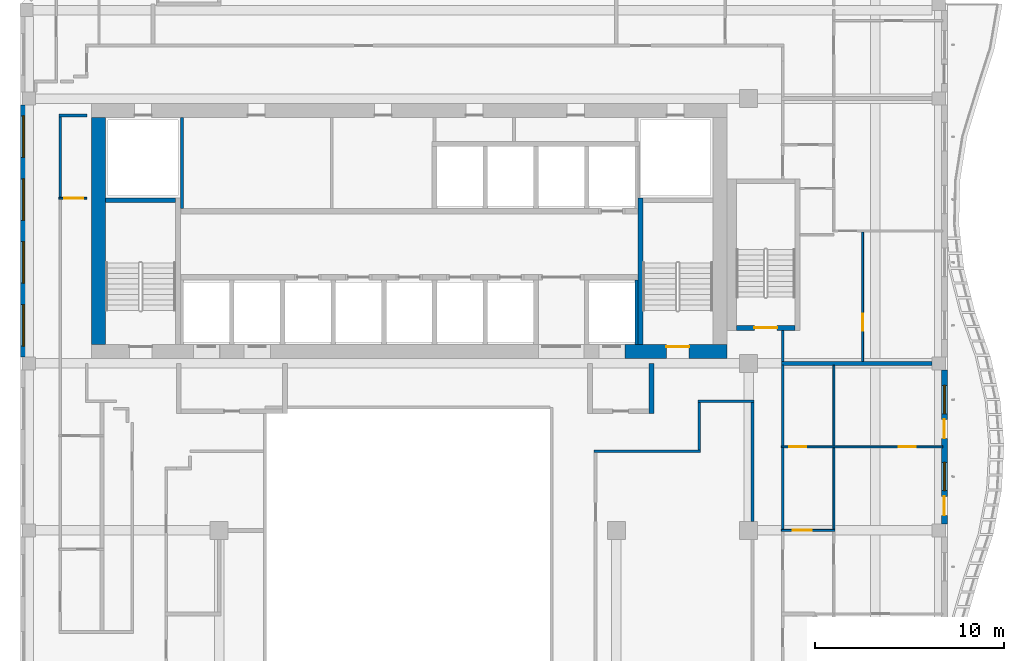
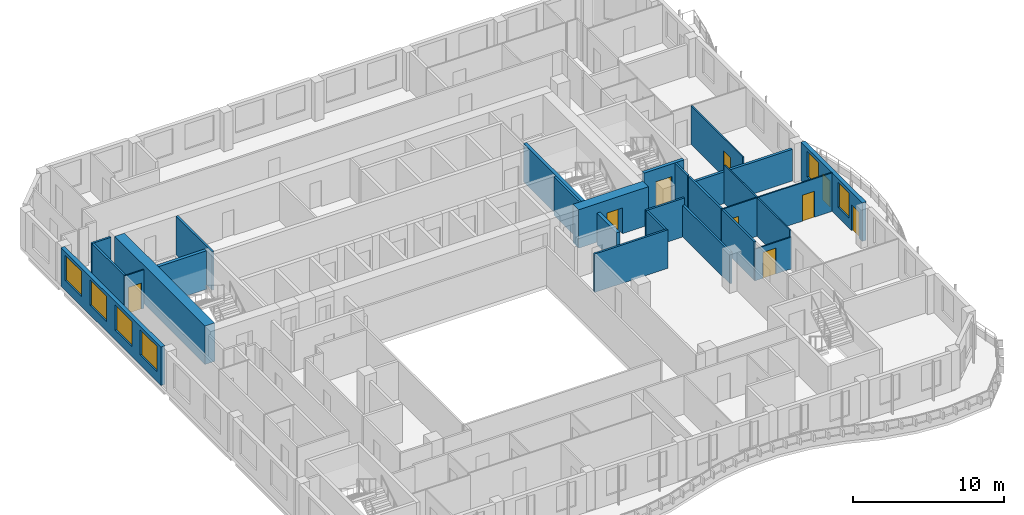
# One storey, part 6 of 20: 26 walls, 9 doors, 6 windows, 15 openings.
"""IFC4 building model written with IfcOpenShell, lengths in metres."""

import ifcopenshell
import ifcopenshell.guid

model = None  # the IFC model being written
_history = None  # IfcOwnerHistory: only IFC2X3 demands one
_inside = {}  # id of a spatial element -> (the spatial element, [elements in it])
_under = {}  # id of a project, library or spatial element -> (it, [spatial elements below it])
_declared = {}  # id of a project -> (the project, [libraries it declares])
_typed = {}  # id of a type object -> (the type object, [elements of that type])
_made_of = {}  # id of a material, layer set ... -> (it, [elements and type objects made of it])


def new_model(schema):
    """Start an empty IFC model of exactly this schema.

    Asked for "IFC4X3", IfcOpenShell would pick the latest addendum, in which some entities
    have other attributes; the version numbers below select the first issue.
    IFC2X3 requires an IfcOwnerHistory on every rooted entity: one is made here for all.
    """
    global model, _history
    if schema == "IFC4X3":
        model = ifcopenshell.file(schema_version=(4, 3, 0, 0))
    else:
        model = ifcopenshell.file(schema=schema)
    _inside.clear()
    _under.clear()
    _declared.clear()
    _typed.clear()
    _made_of.clear()
    _history = None
    if model.schema == "IFC2X3":
        org = make("IfcOrganization", Name="unknown")
        user = make(
            "IfcPersonAndOrganization",
            ThePerson=make("IfcPerson", FamilyName="unknown"),
            TheOrganization=org,
        )
        app = make(
            "IfcApplication",
            ApplicationDeveloper=org,
            Version="unknown",
            ApplicationFullName="unknown",
            ApplicationIdentifier="unknown",
        )
        _history = make(
            "IfcOwnerHistory",
            OwningUser=user,
            OwningApplication=app,
            ChangeAction="ADDED",
            CreationDate=0,
        )
    return model


def make(cls, **values):
    """One entity of the class cls with the attributes given. An attribute that is None is left unset."""
    return model.create_entity(
        cls, **{name: value for name, value in values.items() if value is not None}
    )


def rooted(cls, **values):
    """An entity with a GlobalId (a new one), such as an element, a storey or a relation."""
    return make(cls, GlobalId=ifcopenshell.guid.new(), OwnerHistory=_history, **values)


def si_unit(unit_type, name, prefix=None):
    """IfcSIUnit, for example si_unit("LENGTHUNIT", "METRE", prefix="MILLI")."""
    return make("IfcSIUnit", UnitType=unit_type, Prefix=prefix, Name=name)


def assignment(units):
    """IfcUnitAssignment: the units of a project."""
    return None if units is None else make("IfcUnitAssignment", Units=units)


def point(xyz):
    """IfcCartesianPoint."""
    return None if xyz is None else make("IfcCartesianPoint", Coordinates=xyz)


def direction(xyz):
    """IfcDirection."""
    return None if xyz is None else make("IfcDirection", DirectionRatios=xyz)


def frame(location, z_axis=None, x_axis=None):
    """IfcAxis2Placement3D, a coordinate frame: its origin and axes. An axis left out is left unset."""
    return make(
        "IfcAxis2Placement3D",
        Location=point(location),
        Axis=direction(z_axis),
        RefDirection=direction(x_axis),
    )


def frame_2d(location, x_axis=None):
    """IfcAxis2Placement2D, a coordinate frame in the plane: its origin and x axis."""
    return make(
        "IfcAxis2Placement2D", Location=point(location), RefDirection=direction(x_axis)
    )


def origin():
    """The frame at (0, 0, 0) with its axes left unset."""
    return frame((0.0, 0.0, 0.0))


def place(relative_to, where):
    """IfcLocalPlacement: puts the frame where relative to a parent placement (None: the world)."""
    return make(
        "IfcLocalPlacement", PlacementRelTo=relative_to, RelativePlacement=where
    )


def context(
    kind, dimensions, precision=None, world=None, true_north=None, identifier=None
):
    """IfcGeometricRepresentationContext, for example the 3D "Model" context."""
    return make(
        "IfcGeometricRepresentationContext",
        ContextIdentifier=identifier,
        ContextType=kind,
        CoordinateSpaceDimension=dimensions,
        Precision=precision,
        WorldCoordinateSystem=world,
        TrueNorth=true_north,
    )


def subcontext(parent, identifier, kind, view, scale=None):
    """IfcGeometricRepresentationSubContext, for example "Body" below "Model"."""
    return make(
        "IfcGeometricRepresentationSubContext",
        ContextIdentifier=identifier,
        ContextType=kind,
        ParentContext=parent,
        TargetScale=scale,
        TargetView=view,
    )


def project(units=None, contexts=None):
    """IfcProject with its units and contexts."""
    return rooted(
        "IfcProject",
        Name="project",
        RepresentationContexts=contexts,
        UnitsInContext=assignment(units),
    )


def spatial(cls, under=None, at=None, **own):
    """A site, building, storey or space (cls), placed at a placement, below another one or the project."""
    s = rooted(cls, ObjectPlacement=at, **own)
    if under is not None:
        _under.setdefault(under.id(), (under, []))[1].append(s)
    return s


def profile(cls, at=None, kind="AREA", **sizes):
    """A parametric profile (cls). Its sizes go by their IFC names, for example OverallWidth=200.0."""
    return make(cls, ProfileType=kind, Position=at, **sizes)


def rectangle(**sizes):
    """IfcRectangleProfileDef."""
    return profile("IfcRectangleProfileDef", **sizes)


def extrude(swept, where, along, depth):
    """IfcExtrudedAreaSolid: the profile swept, set in the frame where, extruded along a direction by depth."""
    return make(
        "IfcExtrudedAreaSolid",
        SweptArea=swept,
        Position=where,
        ExtrudedDirection=direction(along),
        Depth=depth,
    )


def shape(context_of_items, identifier, shape_type, items):
    """IfcShapeRepresentation: the items that make up one representation, for example the "Body"."""
    return make(
        "IfcShapeRepresentation",
        ContextOfItems=context_of_items,
        RepresentationIdentifier=identifier,
        RepresentationType=shape_type,
        Items=items,
    )


def source(mapping_origin, context_of_items, identifier, shape_type, items):
    """IfcRepresentationMap: a shape defined once, which mapped items show again and again."""
    return make(
        "IfcRepresentationMap",
        MappingOrigin=mapping_origin,
        MappedRepresentation=shape(context_of_items, identifier, shape_type, items),
    )


def transform(
    local_origin,
    x_axis=None,
    y_axis=None,
    z_axis=None,
    scale=None,
    scale2=None,
    scale3=None,
    uniform=True,
):
    """IfcCartesianTransformationOperator3D, or its non-uniform kind. x_axis, y_axis, z_axis: its Axis1, 2, 3."""
    if uniform:
        return make(
            "IfcCartesianTransformationOperator3D",
            Axis1=direction(x_axis),
            Axis2=direction(y_axis),
            LocalOrigin=point(local_origin),
            Scale=scale,
            Axis3=direction(z_axis),
        )
    return make(
        "IfcCartesianTransformationOperator3DnonUniform",
        Axis1=direction(x_axis),
        Axis2=direction(y_axis),
        LocalOrigin=point(local_origin),
        Scale=scale,
        Axis3=direction(z_axis),
        Scale2=scale2,
        Scale3=scale3,
    )


def mapped(mapping_source, mapping_target):
    """IfcMappedItem: shows the shape of a source again, moved by a transform."""
    return make(
        "IfcMappedItem", MappingSource=mapping_source, MappingTarget=mapping_target
    )


def material(Name=None, Category=None):
    """IfcMaterial."""
    return make("IfcMaterial", Name=Name, Category=Category)


def layer(
    of_material, thickness, ventilated=None, Name=None, Category=None, Priority=None
):
    """IfcMaterialLayer: one layer of a wall or slab, of a material (None: an air gap)."""
    return make(
        "IfcMaterialLayer",
        Material=of_material,
        LayerThickness=thickness,
        IsVentilated=ventilated,
        Name=Name,
        Category=Category,
        Priority=Priority,
    )


def layer_set(layers, Name=None):
    """IfcMaterialLayerSet."""
    return make("IfcMaterialLayerSet", MaterialLayers=layers, LayerSetName=Name)


def made_of(thing, what):
    """Note that an element or type object is made of a material, layer set ...; save() writes the relation."""
    if what is not None:
        _made_of.setdefault(what.id(), (what, []))[1].append(thing)
    return thing


def type_object(cls, material=None, **own):
    """A type object (cls), such as IfcWallType, which elements share."""
    return made_of(rooted(cls, **own), material)


def element(
    cls,
    number,
    at=None,
    inside=None,
    cuts=None,
    type_object=None,
    material=None,
    context=None,
    identifier="Body",
    shape_type=None,
    held_by="IfcProductDefinitionShape",
    body=None,
    shapes=None,
    **own,
):
    """One element of the class cls, such as IfcWall. Its Tag is "e" and its number.

    at: its placement. inside: the storey or other place that contains it. cuts: it is an
    opening in that element (IfcRelVoidsElement). A single representation is given by context,
    identifier, shape_type and body (its items); several are given by shapes. held_by: the class
    of the entity that holds the representations. save() writes the other relations.
    """
    e = rooted(cls, Tag="e%d" % number, ObjectPlacement=at, **own)
    if body is not None:
        shapes = [shape(context, identifier, shape_type, body)]
    if shapes is not None:
        e.Representation = make(held_by, Representations=shapes)
    if inside is not None:
        _inside.setdefault(inside.id(), (inside, []))[1].append(e)
    if cuts is not None:
        rooted(
            "IfcRelVoidsElement", RelatingBuildingElement=cuts, RelatedOpeningElement=e
        )
    if type_object is not None:
        _typed.setdefault(type_object.id(), (type_object, []))[1].append(e)
    return made_of(e, material)


def fill(opening, filler):
    """IfcRelFillsElement: the door or window that sits in an opening."""
    return rooted(
        "IfcRelFillsElement",
        RelatingOpeningElement=opening,
        RelatedBuildingElement=filler,
    )


def aggregate(whole, parts):
    """IfcRelAggregates: a whole, such as a stair, and the parts it consists of."""
    return rooted("IfcRelAggregates", RelatingObject=whole, RelatedObjects=parts)


def save(model, path):
    """Write the relations noted so far, then the file.

    IfcRelAggregates (storeys below a building ...), IfcRelContainedInSpatialStructure (elements
    in a storey), IfcRelDefinesByType, IfcRelAssociatesMaterial and IfcRelDeclares: one each for
    every whole, place, type object, material and project.
    """
    for whole, parts in _under.values():
        aggregate(whole, parts)
    for where, things in _inside.values():
        rooted(
            "IfcRelContainedInSpatialStructure",
            RelatedElements=things,
            RelatingStructure=where,
        )
    for kind, things in _typed.values():
        rooted("IfcRelDefinesByType", RelatedObjects=things, RelatingType=kind)
    for what, things in _made_of.values():
        rooted("IfcRelAssociatesMaterial", RelatedObjects=things, RelatingMaterial=what)
    for by, libraries in _declared.values():
        rooted("IfcRelDeclares", RelatingContext=by, RelatedDefinitions=libraries)
    model.write(path)


model = new_model("IFC4")

# Units and contexts
model_context = context("Model", 3, precision=1e-05, world=origin(), true_north=direction((0.0, 1.0)))
body_context = subcontext(model_context, "Body", "Model", "MODEL_VIEW")
ifc_project = project(units=[si_unit("LENGTHUNIT", "METRE"), si_unit("AREAUNIT", "SQUARE_METRE"), si_unit("VOLUMEUNIT", "CUBIC_METRE"), si_unit("PLANEANGLEUNIT", "RADIAN"), si_unit("MASSUNIT", "GRAM", prefix="KILO")], contexts=[model_context])

# Site, building, storey
site_placement = place(None, origin())
site = spatial("IfcSite", under=ifc_project, at=site_placement, CompositionType="ELEMENT")
building_placement = place(site_placement, origin())
building = spatial("IfcBuilding", under=site, at=building_placement, Name="Kilnfold Tower and Market Hall", CompositionType="ELEMENT")
storey_placement = place(building_placement, frame((0.0, 0.0, 239.0)))
storey = spatial("IfcBuildingStorey", under=building, at=storey_placement, Name="L57", CompositionType="ELEMENT", Elevation=239.0)

# Walls
ifc_material_1 = material(Name="Gypsum board on steel studs", Category="steel")
ifc_layer_1 = layer(ifc_material_1, 0.14990234375)
ifc_layer_set_1 = layer_set([ifc_layer_1], Name="Gypsum board on steel studs")
wall_type_1 = type_object("IfcWallType", Name="WALL CORRIDOR 150", PredefinedType="PARTITIONING", material=ifc_layer_set_1)
wall_1_placement = place(storey_placement, frame((-17.47509765625, 21.10009765625, 0.0), z_axis=(0.0, 0.0, 1.0), x_axis=(1.0, 0.0, 0.0)))
element("IfcWall", 1, at=wall_1_placement, inside=storey, type_object=wall_type_1, Name="Partition LY35.7", PredefinedType="PARTITIONING", context=body_context, shape_type="SweptSolid", body=[
    extrude(rectangle(XDim=1.47509765625, YDim=0.14990234375, at=frame_2d((0.737548828125, 0.0))), origin(), (0.0, 0.0, 1.0), 3.1201171875),
])
wall_2_placement = place(storey_placement, frame((-17.39990234375, 16.77099609375, 0.0), z_axis=(0.0, 0.0, 1.0), x_axis=(0.0, 1.0, 0.0)))
element("IfcWall", 2, at=wall_2_placement, inside=storey, type_object=wall_type_1, Name="Partition LY35.8", PredefinedType="PARTITIONING", context=body_context, shape_type="SweptSolid", body=[
    extrude(rectangle(XDim=4.25390625, YDim=0.14990234375, at=frame_2d((2.126953125, 0.0))), origin(), (0.0, 0.0, 1.0), 3.1201171875),
])
wall_3_placement = place(storey_placement, frame((20.800048828125, -0.79296875, 0.0), z_axis=(0.0, 0.0, 1.0), x_axis=(0.0, 1.0, 0.0)))
element("IfcWall", 3, at=wall_3_placement, inside=storey, type_object=wall_type_1, Name="Partition LY35.14", PredefinedType="PARTITIONING", context=body_context, shape_type="SweptSolid", body=[
    extrude(rectangle(XDim=4.3359375, YDim=0.14990234375, at=frame_2d((2.16796875, 0.0))), origin(), (0.0, 0.0, 1.0), 3.1201171875),
])
wall_4_placement = place(storey_placement, frame((20.800048828125, 3.623046875, 0.0), z_axis=(0.0, 0.0, 1.0), x_axis=(0.0, 1.0, 0.0)))
element("IfcWall", 4, at=wall_4_placement, inside=storey, type_object=wall_type_1, Name="Partition LY35.15", PredefinedType="PARTITIONING", context=body_context, shape_type="SweptSolid", body=[
    extrude(rectangle(XDim=4.286865234375, YDim=0.14990234375, at=frame_2d((2.1435546875, 0.0))), origin(), (0.0, 0.0, 1.0), 3.1201171875),
])
wall_5_placement = place(storey_placement, frame((20.800048828125, 8.090087890625, 0.0), z_axis=(0.0, 0.0, 1.0), x_axis=(0.0, 1.0, 0.0)))
element("IfcWall", 5, at=wall_5_placement, inside=storey, type_object=wall_type_1, Name="Partition LY35.16", PredefinedType="PARTITIONING", context=body_context, shape_type="SweptSolid", body=[
    extrude(rectangle(XDim=1.659912109375, YDim=0.14990234375, at=frame_2d((0.830078125, 0.0))), origin(), (0.0, 0.0, 1.0), 3.1201171875),
])
wall_6_placement = place(storey_placement, frame((19.199951171875, -0.35791015625, 0.0), z_axis=(0.0, 0.0, 1.0), x_axis=(0.0, 1.0, 0.0)))
element("IfcWall", 6, at=wall_6_placement, inside=storey, type_object=wall_type_1, Name="Partition LY35.41", PredefinedType="PARTITIONING", context=body_context, shape_type="SweptSolid", body=[
    extrude(rectangle(XDim=6.282958984375, YDim=0.14990234375, at=frame_2d((3.1416015625, 0.0))), origin(), (0.0, 0.0, 1.0), 2.570068359375),
])
wall_7_placement = place(storey_placement, frame((16.304931640625, 6.0, 0.0), z_axis=(0.0, 0.0, 1.0), x_axis=(1.0, 0.0, 0.0)))
element("IfcWall", 7, at=wall_7_placement, inside=storey, type_object=wall_type_1, Name="Partition LY35.42", PredefinedType="PARTITIONING", context=body_context, shape_type="SweptSolid", body=[
    extrude(rectangle(XDim=2.969970703125, YDim=0.14990234375, at=frame_2d((1.48486328125, 0.0))), origin(), (0.0, 0.0, 1.0), 3.1201171875),
])
wall_8_placement = place(storey_placement, frame((16.3798828125, 3.425048828125, 0.0), z_axis=(0.0, 0.0, 1.0), x_axis=(0.0, 1.0, 0.0)))
element("IfcWall", 8, at=wall_8_placement, inside=storey, type_object=wall_type_1, Name="Partition LY35.43", PredefinedType="PARTITIONING", context=body_context, shape_type="SweptSolid", body=[
    extrude(rectangle(XDim=2.5, YDim=0.14990234375, at=frame_2d((1.25, 0.0))), origin(), (0.0, 0.0, 1.0), 3.1201171875),
])
wall_9_placement = place(storey_placement, frame((10.824951171875, 3.35009765625, 0.0), z_axis=(0.0, 0.0, 1.0), x_axis=(1.0, 0.0, 0.0)))
element("IfcWall", 9, at=wall_9_placement, inside=storey, type_object=wall_type_1, Name="Partition LY35.44", PredefinedType="PARTITIONING", context=body_context, shape_type="SweptSolid", body=[
    extrude(rectangle(XDim=5.630126953125, YDim=0.14990234375, at=frame_2d((2.81494140625, 0.0))), origin(), (0.0, 0.0, 1.0), 3.1201171875),
])

# Wall, opening, door
ifc_material_2 = material(Name="Gypsum board on steel studs", Category="steel")
ifc_layer_2 = layer(ifc_material_2, 0.10009765625)
ifc_layer_set_2 = layer_set([ifc_layer_2], Name="Gypsum board on steel studs")
wall_type_2 = type_object("IfcWallType", Name="WALL PARTITION 100", PredefinedType="PARTITIONING", material=ifc_layer_set_2)
wall_10_placement = place(storey_placement, frame((-16.0, 16.73095703125, 0.0), z_axis=(0.0, 0.0, 1.0), x_axis=(-1.0, 0.0, 0.0)))
wall_10 = element("IfcWall", 10, at=wall_10_placement, inside=storey, type_object=wall_type_2, Name="Partition LY35.52", PredefinedType="PARTITIONING", context=body_context, shape_type="SweptSolid", body=[
    extrude(rectangle(XDim=1.472900390625, YDim=0.10009765625, at=frame_2d((0.736328125, 0.0))), origin(), (0.0, 0.0, 1.0), 3.1201171875),
])
opening_1_placement = place(wall_10_placement, frame((0.199951171875, 0.0, 0.0)))
opening_1 = element("IfcOpeningElement", 11, at=opening_1_placement, cuts=wall_10, Name="Opening D1", PredefinedType="OPENING", context=body_context, shape_type="SweptSolid", body=[
    extrude(rectangle(XDim=1.0, YDim=2.10009765625, at=frame_2d((0.5, 1.050048828125))), frame((0.0, 0.06005859375, 0.0), z_axis=(0.0, -1.0, 0.0), x_axis=(1.0, 0.0, 0.0)), (0.0, 0.0, 1.0), 0.1201171875),
])
ifc_material_3 = material(Name="Timber veneer door leaf in steel frame", Category="steel")
door_type_1 = type_object("IfcDoorType", Name="DOOR ENTRY 1000 X2100", OperationType="NOTDEFINED", PredefinedType="DOOR", material=ifc_material_3)
door_1_placement = place(opening_1_placement, origin())
door_1 = element("IfcDoor", 12, at=door_1_placement, inside=storey, type_object=door_type_1, Name="Door D1", OperationType="SINGLE_SWING_LEFT", OverallHeight=2.10009765625, OverallWidth=1.0, PredefinedType="DOOR", context=body_context, shape_type="SweptSolid", body=[
    extrude(rectangle(XDim=1.0, YDim=2.10009765625, at=frame_2d((0.5, 1.050048828125))), frame((0.0, 0.02490234375, 0.0), z_axis=(0.0, -1.0, 0.0), x_axis=(1.0, 0.0, 0.0)), (0.0, 0.0, 1.0), 0.050048828125),
])
fill(opening_1, door_1)

wall_11_placement = place(storey_placement, frame((23.550048828125, -0.8330078125, 0.0), z_axis=(0.0, 0.0, 1.0), x_axis=(-1.0, 0.0, 0.0)))
wall_11 = element("IfcWall", 13, at=wall_11_placement, inside=storey, type_object=wall_type_2, Name="Partition LY35.74", PredefinedType="PARTITIONING", context=body_context, shape_type="SweptSolid", body=[
    extrude(rectangle(XDim=2.822998046875, YDim=0.10009765625, at=frame_2d((1.41162109375, 0.0))), origin(), (0.0, 0.0, 1.0), 2.570068359375),
])
opening_2_placement = place(wall_11_placement, frame((1.216064453125, 0.0, 0.0)))
opening_2 = element("IfcOpeningElement", 14, at=opening_2_placement, cuts=wall_11, Name="Opening D1", PredefinedType="OPENING", context=body_context, shape_type="SweptSolid", body=[
    extrude(rectangle(XDim=1.0, YDim=2.10009765625, at=frame_2d((0.5, 1.050048828125))), frame((0.0, 0.06005859375, 0.0), z_axis=(0.0, -1.0, 0.0), x_axis=(1.0, 0.0, 0.0)), (0.0, 0.0, 1.0), 0.1201171875),
])
door_2_placement = place(opening_2_placement, origin())
door_2 = element("IfcDoor", 15, at=door_2_placement, inside=storey, type_object=door_type_1, Name="Door D1", OperationType="SINGLE_SWING_LEFT", OverallHeight=2.10009765625, OverallWidth=1.0, PredefinedType="DOOR", context=body_context, shape_type="SweptSolid", body=[
    extrude(rectangle(XDim=1.0, YDim=2.10009765625, at=frame_2d((0.5, 1.050048828125))), frame((0.0, 0.02490234375, 0.0), z_axis=(0.0, -1.0, 0.0), x_axis=(1.0, 0.0, 0.0)), (0.0, 0.0, 1.0), 0.050048828125),
])
fill(opening_2, door_2)

# Wall, openings, doors
wall_12_placement = place(storey_placement, frame((20.72705078125, 3.5830078125, 0.0), z_axis=(0.0, 0.0, 1.0), x_axis=(1.0, 0.0, 0.0)))
wall_12 = element("IfcWall", 16, at=wall_12_placement, inside=storey, type_object=wall_type_2, Name="Partition LY35.76", PredefinedType="PARTITIONING", context=body_context, shape_type="SweptSolid", body=[
    extrude(rectangle(XDim=8.52294921875, YDim=0.10009765625, at=frame_2d((4.261474609375, 0.0))), origin(), (0.0, 0.0, 1.0), 3.1201171875),
])
opening_3_placement = place(wall_12_placement, frame((0.409912109375, 0.0, 0.0)))
opening_3 = element("IfcOpeningElement", 17, at=opening_3_placement, cuts=wall_12, Name="Opening D2", PredefinedType="OPENING", context=body_context, shape_type="SweptSolid", body=[
    extrude(rectangle(XDim=0.89990234375, YDim=2.10009765625, at=frame_2d((0.449951171875, 1.050048828125))), frame((0.0, 0.06005859375, 0.0), z_axis=(0.0, -1.0, 0.0), x_axis=(1.0, 0.0, 0.0)), (0.0, 0.0, 1.0), 0.1201171875),
])
opening_4_placement = place(wall_12_placement, frame((6.2099609375, 0.0, 0.0)))
opening_4 = element("IfcOpeningElement", 18, at=opening_4_placement, cuts=wall_12, Name="Opening D2", PredefinedType="OPENING", context=body_context, shape_type="SweptSolid", body=[
    extrude(rectangle(XDim=0.89990234375, YDim=2.10009765625, at=frame_2d((0.449951171875, 1.050048828125))), frame((0.0, 0.06005859375, 0.0), z_axis=(0.0, -1.0, 0.0), x_axis=(1.0, 0.0, 0.0)), (0.0, 0.0, 1.0), 0.1201171875),
])
ifc_material_4 = material(Name="Timber veneer door leaf in steel frame", Category="steel")
door_type_2 = type_object("IfcDoorType", Name="DOOR ROOM 900 X2100", OperationType="NOTDEFINED", PredefinedType="DOOR", material=ifc_material_4)
door_3_placement = place(opening_3_placement, origin())
door_3 = element("IfcDoor", 19, at=door_3_placement, inside=storey, type_object=door_type_2, Name="Door D2", OperationType="SINGLE_SWING_LEFT", OverallHeight=2.10009765625, OverallWidth=0.89990234375, PredefinedType="DOOR", context=body_context, shape_type="SweptSolid", body=[
    extrude(rectangle(XDim=0.89990234375, YDim=2.10009765625, at=frame_2d((0.449951171875, 1.050048828125))), frame((0.0, 0.02490234375, 0.0), z_axis=(0.0, -1.0, 0.0), x_axis=(1.0, 0.0, 0.0)), (0.0, 0.0, 1.0), 0.050048828125),
])
fill(opening_3, door_3)
door_4_placement = place(opening_4_placement, origin())
door_4 = element("IfcDoor", 20, at=door_4_placement, inside=storey, type_object=door_type_2, Name="Door D2", OperationType="SINGLE_SWING_LEFT", OverallHeight=2.10009765625, OverallWidth=0.89990234375, PredefinedType="DOOR", context=body_context, shape_type="SweptSolid", body=[
    extrude(rectangle(XDim=0.89990234375, YDim=2.10009765625, at=frame_2d((0.449951171875, 1.050048828125))), frame((0.0, 0.02490234375, 0.0), z_axis=(0.0, -1.0, 0.0), x_axis=(1.0, 0.0, 0.0)), (0.0, 0.0, 1.0), 0.050048828125),
])
fill(opening_4, door_4)

# Walls
wall_13_placement = place(storey_placement, frame((23.5, -0.782958984375, 0.0), z_axis=(0.0, 0.0, 1.0), x_axis=(0.0, 1.0, 0.0)))
element("IfcWall", 21, at=wall_13_placement, inside=storey, type_object=wall_type_2, Name="Partition LY35.77", PredefinedType="PARTITIONING", context=body_context, shape_type="SweptSolid", body=[
    extrude(rectangle(XDim=4.31591796875, YDim=0.10009765625, at=frame_2d((2.157958984375, 0.0))), origin(), (0.0, 0.0, 1.0), 3.1201171875),
])
wall_14_placement = place(storey_placement, frame((23.5, 3.633056640625, 0.0), z_axis=(0.0, 0.0, 1.0), x_axis=(0.0, 1.0, 0.0)))
element("IfcWall", 22, at=wall_14_placement, inside=storey, type_object=wall_type_2, Name="Partition LY35.78", PredefinedType="PARTITIONING", context=body_context, shape_type="SweptSolid", body=[
    extrude(rectangle(XDim=4.266845703125, YDim=0.10009765625, at=frame_2d((2.13330078125, 0.0))), origin(), (0.0, 0.0, 1.0), 3.1201171875),
])

# Wall, opening, door
wall_15_placement = place(storey_placement, frame((25.02587890625, 8.10009765625, 0.0), z_axis=(0.0, 0.0, 1.0), x_axis=(0.0, 1.0, 0.0)))
wall_15 = element("IfcWall", 23, at=wall_15_placement, inside=storey, type_object=wall_type_2, Name="Partition LY35.80", PredefinedType="PARTITIONING", context=body_context, shape_type="SweptSolid", body=[
    extrude(rectangle(XDim=6.849853515625, YDim=0.10009765625, at=frame_2d((3.4248046875, 0.0))), origin(), (0.0, 0.0, 1.0), 3.1201171875),
])
opening_5_placement = place(wall_15_placement, frame((1.613037109375, 0.0, 0.0)))
opening_5 = element("IfcOpeningElement", 24, at=opening_5_placement, cuts=wall_15, Name="Opening D2", PredefinedType="OPENING", context=body_context, shape_type="SweptSolid", body=[
    extrude(rectangle(XDim=0.89990234375, YDim=2.10009765625, at=frame_2d((0.449951171875, 1.050048828125))), frame((0.0, 0.06005859375, 0.0), z_axis=(0.0, -1.0, 0.0), x_axis=(1.0, 0.0, 0.0)), (0.0, 0.0, 1.0), 0.1201171875),
])
door_5_placement = place(opening_5_placement, origin())
door_5 = element("IfcDoor", 25, at=door_5_placement, inside=storey, type_object=door_type_2, Name="Door D2", OperationType="SINGLE_SWING_LEFT", OverallHeight=2.10009765625, OverallWidth=0.89990234375, PredefinedType="DOOR", context=body_context, shape_type="SweptSolid", body=[
    extrude(rectangle(XDim=0.89990234375, YDim=2.10009765625, at=frame_2d((0.449951171875, 1.050048828125))), frame((0.0, 0.02490234375, 0.0), z_axis=(0.0, -1.0, 0.0), x_axis=(1.0, 0.0, 0.0)), (0.0, 0.0, 1.0), 0.050048828125),
])
fill(opening_5, door_5)

# Walls
ifc_material_5 = material(Name="Gypsum board on steel studs", Category="steel")
ifc_layer_3 = layer(ifc_material_5, 0.199951171875)
ifc_layer_set_3 = layer_set([ifc_layer_3], Name="Gypsum board on steel studs")
wall_type_3 = type_object("IfcWallType", Name="WALL PARTY 200", PredefinedType="PARTITIONING", material=ifc_layer_set_3)
wall_16_placement = place(storey_placement, frame((20.72705078125, 8.0, 0.0), z_axis=(0.0, 0.0, 1.0), x_axis=(1.0, 0.0, 0.0)))
element("IfcWall", 26, at=wall_16_placement, inside=storey, type_object=wall_type_3, Name="Partition LY35.79", PredefinedType="PARTITIONING", context=body_context, shape_type="SweptSolid", body=[
    extrude(rectangle(XDim=7.972900390625, YDim=0.199951171875, at=frame_2d((3.986328125, 0.0))), origin(), (0.0, 0.0, 1.0), 2.570068359375),
])
ifc_material_6 = material(Name="Concrete C60", Category="concrete")
ifc_layer_4 = layer(ifc_material_6, 0.25)
ifc_layer_set_4 = layer_set([ifc_layer_4], Name="Concrete C60")
wall_type_4 = type_object("IfcWallType", Name="CORE WALL 250 C60", PredefinedType="SHEAR", material=ifc_layer_set_4)
shared_shape_1 = source(origin(), body_context, "Body", "SweptSolid", [
    extrude(rectangle(XDim=7.75, YDim=0.25, at=frame_2d((3.875, 0.0))), origin(), (0.0, 0.0, 1.0), 3.1201171875),
])
wall_17_placement = place(storey_placement, frame((13.27490234375, 9.0, 0.0), z_axis=(0.0, 0.0, 1.0), x_axis=(0.0, 1.0, 0.0)))
element("IfcWall", 27, at=wall_17_placement, inside=storey, type_object=wall_type_4, Name="Stair enclosure ST2", PredefinedType="SHEAR", context=body_context, shape_type="MappedRepresentation", body=[
    mapped(shared_shape_1, transform((0.0, 0.0, 0.0))),
])
shared_shape_2 = source(origin(), body_context, "Body", "SweptSolid", [
    extrude(rectangle(XDim=3.699951171875, YDim=0.25, at=frame_2d((1.85009765625, 0.0))), origin(), (0.0, 0.0, 1.0), 3.1201171875),
])
wall_18_placement = place(storey_placement, frame((-15.0, 16.625, 0.0), z_axis=(0.0, 0.0, 1.0), x_axis=(1.0, 0.0, 0.0)))
element("IfcWall", 28, at=wall_18_placement, inside=storey, type_object=wall_type_4, Name="Stair enclosure ST1", PredefinedType="SHEAR", context=body_context, shape_type="MappedRepresentation", body=[
    mapped(shared_shape_2, transform((0.0, 0.0, 0.0))),
])

# Wall, opening, door
shared_shape_3 = source(origin(), body_context, "Body", "SweptSolid", [
    extrude(rectangle(XDim=3.099853515625, YDim=0.25, at=frame_2d((1.5498046875, 0.0))), origin(), (0.0, 0.0, 1.0), 3.1201171875),
])
wall_19_placement = place(storey_placement, frame((18.35009765625, 9.875, 0.0), z_axis=(0.0, 0.0, 1.0), x_axis=(1.0, 0.0, 0.0)))
wall_19 = element("IfcWall", 29, at=wall_19_placement, inside=storey, type_object=wall_type_4, Name="Stair enclosure ST5", PredefinedType="SHEAR", context=body_context, shape_type="MappedRepresentation", body=[
    mapped(shared_shape_3, transform((0.0, 0.0, 0.0))),
])
opening_6_placement = place(wall_19_placement, frame((0.949951171875, 0.0, 0.0)))
opening_6 = element("IfcOpeningElement", 30, at=opening_6_placement, cuts=wall_19, Name="Opening SD1", PredefinedType="OPENING", context=body_context, shape_type="SweptSolid", body=[
    extrude(rectangle(XDim=1.199951171875, YDim=2.10009765625, at=frame_2d((0.60009765625, 1.050048828125))), frame((0.0, 0.135009765625, 0.0), z_axis=(0.0, -1.0, 0.0), x_axis=(1.0, 0.0, 0.0)), (0.0, 0.0, 1.0), 0.27001953125),
])
ifc_material_7 = material(Name="Steel door set with fire-resisting leaf", Category="steel")
door_type_3 = type_object("IfcDoorType", Name="STAIR FLOOR DOOR 1200X2100", OperationType="NOTDEFINED", PredefinedType="DOOR", material=ifc_material_7)
door_6_placement = place(opening_6_placement, origin())
door_6 = element("IfcDoor", 31, at=door_6_placement, inside=storey, type_object=door_type_3, Name="Exit stair ST5 door", OperationType="DOUBLE_DOOR_SINGLE_SWING", OverallHeight=2.10009765625, OverallWidth=1.199951171875, PredefinedType="DOOR", context=body_context, shape_type="SweptSolid", body=[
    extrude(rectangle(XDim=1.199951171875, YDim=2.10009765625, at=frame_2d((0.60009765625, 1.050048828125))), frame((0.0, 0.02490234375, 0.0), z_axis=(0.0, -1.0, 0.0), x_axis=(1.0, 0.0, 0.0)), (0.0, 0.0, 1.0), 0.050048828125),
])
fill(opening_6, door_6)

ifc_material_8 = material(Name="Concrete C60", Category="concrete")
ifc_layer_5 = layer(ifc_material_8, 0.75)
ifc_layer_set_5 = layer_set([ifc_layer_5], Name="Concrete C60")
wall_type_5 = type_object("IfcWallType", Name="CORE WALL 750 C60", PredefinedType="SHEAR", material=ifc_layer_set_5)
shared_shape_4 = source(origin(), body_context, "Body", "SweptSolid", [
    extrude(rectangle(XDim=5.380126953125, YDim=0.75, at=frame_2d((2.68994140625, 0.0))), origin(), (0.0, 0.0, 1.0), 3.1201171875),
])
wall_20_placement = place(storey_placement, frame((12.469970703125, 8.625, 0.0), z_axis=(0.0, 0.0, 1.0), x_axis=(1.0, 0.0, 0.0)))
wall_20 = element("IfcWall", 32, at=wall_20_placement, inside=storey, type_object=wall_type_5, Name="Core outer wall south", PredefinedType="SHEAR", context=body_context, shape_type="MappedRepresentation", body=[
    mapped(shared_shape_4, transform((0.0, 0.0, 0.0))),
])
opening_7_placement = place(wall_20_placement, frame((2.179931640625, 0.0, 0.0)))
opening_7 = element("IfcOpeningElement", 33, at=opening_7_placement, cuts=wall_20, Name="Opening SD1", PredefinedType="OPENING", context=body_context, shape_type="SweptSolid", body=[
    extrude(rectangle(XDim=1.199951171875, YDim=2.10009765625, at=frame_2d((0.60009765625, 1.050048828125))), frame((0.0, 0.385009765625, 0.0), z_axis=(0.0, -1.0, 0.0), x_axis=(1.0, 0.0, 0.0)), (0.0, 0.0, 1.0), 0.77001953125),
])
door_7_placement = place(opening_7_placement, origin())
door_7 = element("IfcDoor", 34, at=door_7_placement, inside=storey, type_object=door_type_3, Name="Exit stair ST2 door", OperationType="DOUBLE_DOOR_SINGLE_SWING", OverallHeight=2.10009765625, OverallWidth=1.199951171875, PredefinedType="DOOR", context=body_context, shape_type="SweptSolid", body=[
    extrude(rectangle(XDim=1.199951171875, YDim=2.10009765625, at=frame_2d((0.60009765625, 1.050048828125))), frame((0.0, 0.27978515625, 0.0), z_axis=(0.0, -1.0, 0.0), x_axis=(1.0, 0.0, 0.0)), (0.0, 0.0, 1.0), 0.050048828125),
])
fill(opening_7, door_7)

# Wall
shared_shape_5 = source(origin(), body_context, "Body", "SweptSolid", [
    extrude(rectangle(XDim=12.0, YDim=0.75, at=frame_2d((6.0, 0.0))), origin(), (0.0, 0.0, 1.0), 3.1201171875),
])
wall_21_placement = place(storey_placement, frame((-15.375, 9.0, 0.0), z_axis=(0.0, 0.0, 1.0), x_axis=(0.0, 1.0, 0.0)))
element("IfcWall", 35, at=wall_21_placement, inside=storey, type_object=wall_type_5, Name="Core outer wall west", PredefinedType="SHEAR", context=body_context, shape_type="MappedRepresentation", body=[
    mapped(shared_shape_5, transform((0.0, 0.0, 0.0))),
])

# Wall, openings, doors, windows
ifc_material_9 = material(Name="Precast concrete C50/60", Category="concrete")
ifc_layer_6 = layer(ifc_material_9, 0.300048828125)
ifc_layer_set_6 = layer_set([ifc_layer_6], Name="Precast concrete C50/60")
wall_type_6 = type_object("IfcWallType", Name="PRECAST WALL 300", PredefinedType="SOLIDWALL", material=ifc_layer_set_6)
shared_shape_6 = source(origin(), body_context, "Body", "SweptSolid", [
    extrude(rectangle(XDim=8.13330078125, YDim=0.300048828125, at=frame_2d((4.066650390625, 0.0))), origin(), (0.0, 0.0, 1.0), 3.1201171875),
])
wall_22_placement = place(storey_placement, frame((29.35009765625, -0.4833984375, 0.0), z_axis=(0.0, 0.0, 1.0), x_axis=(0.0, 1.0, 0.0)))
wall_22 = element("IfcWall", 36, at=wall_22_placement, inside=storey, type_object=wall_type_6, Name="External wall L57 E", PredefinedType="SOLIDWALL", context=body_context, shape_type="MappedRepresentation", body=[
    mapped(shared_shape_6, transform((0.0, 0.0, 0.0))),
])
opening_8_placement = place(wall_22_placement, frame((1.75, 0.0, 0.800048828125)))
opening_8 = element("IfcOpeningElement", 37, at=opening_8_placement, cuts=wall_22, Name="Opening W5", PredefinedType="OPENING", context=body_context, shape_type="SweptSolid", body=[
    extrude(rectangle(XDim=1.5, YDim=2.050048828125, at=frame_2d((0.75, 1.02490234375))), frame((0.0, 0.16015625, 0.0), z_axis=(0.0, -1.0, 0.0), x_axis=(1.0, 0.0, 0.0)), (0.0, 0.0, 1.0), 0.320068359375),
])
opening_9_placement = place(wall_22_placement, frame((0.449951171875, 0.0, 0.0)))
opening_9 = element("IfcOpeningElement", 38, at=opening_9_placement, cuts=wall_22, Name="Opening BD1", PredefinedType="OPENING", context=body_context, shape_type="SweptSolid", body=[
    extrude(rectangle(XDim=1.0, YDim=2.10009765625, at=frame_2d((0.5, 1.050048828125))), frame((0.0, 0.16015625, 0.0), z_axis=(0.0, -1.0, 0.0), x_axis=(1.0, 0.0, 0.0)), (0.0, 0.0, 1.0), 0.320068359375),
])
opening_10_placement = place(wall_22_placement, frame((5.816650390625, 0.0, 0.800048828125)))
opening_10 = element("IfcOpeningElement", 39, at=opening_10_placement, cuts=wall_22, Name="Opening W5", PredefinedType="OPENING", context=body_context, shape_type="SweptSolid", body=[
    extrude(rectangle(XDim=1.5, YDim=2.050048828125, at=frame_2d((0.75, 1.02490234375))), frame((0.0, 0.16015625, 0.0), z_axis=(0.0, -1.0, 0.0), x_axis=(1.0, 0.0, 0.0)), (0.0, 0.0, 1.0), 0.320068359375),
])
opening_11_placement = place(wall_22_placement, frame((4.5166015625, 0.0, 0.0)))
opening_11 = element("IfcOpeningElement", 40, at=opening_11_placement, cuts=wall_22, Name="Opening BD1", PredefinedType="OPENING", context=body_context, shape_type="SweptSolid", body=[
    extrude(rectangle(XDim=1.0, YDim=2.10009765625, at=frame_2d((0.5, 1.050048828125))), frame((0.0, 0.16015625, 0.0), z_axis=(0.0, -1.0, 0.0), x_axis=(1.0, 0.0, 0.0)), (0.0, 0.0, 1.0), 0.320068359375),
])
ifc_material_10 = material(Name="Aluminium frame and double glazing", Category="aluminium")
door_type_4 = type_object("IfcDoorType", Name="BALCONY DOOR 1000X2100", OperationType="NOTDEFINED", PredefinedType="DOOR", material=ifc_material_10)
door_8_placement = place(opening_9_placement, origin())
door_8 = element("IfcDoor", 41, at=door_8_placement, inside=storey, type_object=door_type_4, Name="Balcony door BD1 L57 E-1", OperationType="SINGLE_SWING_LEFT", OverallHeight=2.10009765625, OverallWidth=1.0, PredefinedType="DOOR", context=body_context, shape_type="SweptSolid", body=[
    extrude(rectangle(XDim=1.0, YDim=2.10009765625, at=frame_2d((0.5, 1.050048828125))), frame((0.0, 0.02490234375, 0.0), z_axis=(0.0, -1.0, 0.0), x_axis=(1.0, 0.0, 0.0)), (0.0, 0.0, 1.0), 0.050048828125),
])
fill(opening_9, door_8)
door_9_placement = place(opening_11_placement, origin())
door_9 = element("IfcDoor", 42, at=door_9_placement, inside=storey, type_object=door_type_4, Name="Balcony door BD1 L57 E-2", OperationType="SINGLE_SWING_RIGHT", OverallHeight=2.10009765625, OverallWidth=1.0, PredefinedType="DOOR", context=body_context, shape_type="SweptSolid", body=[
    extrude(rectangle(XDim=1.0, YDim=2.10009765625, at=frame_2d((0.5, 1.050048828125))), frame((0.0, 0.02490234375, 0.0), z_axis=(0.0, -1.0, 0.0), x_axis=(1.0, 0.0, 0.0)), (0.0, 0.0, 1.0), 0.050048828125),
])
fill(opening_11, door_9)
ifc_material_11 = material(Name="Aluminium frame and double glazing", Category="aluminium")
window_type_1 = type_object("IfcWindowType", Name="WINDOW W5 1500X2050", PartitioningType="SINGLE_PANEL", PredefinedType="WINDOW", material=ifc_material_11)
window_1_placement = place(opening_8_placement, origin())
window_1 = element("IfcWindow", 43, at=window_1_placement, inside=storey, type_object=window_type_1, Name="Window W5 L57 E-1", OverallHeight=2.050048828125, OverallWidth=1.5, PartitioningType="SINGLE_PANEL", PredefinedType="WINDOW", context=body_context, shape_type="SweptSolid", body=[
    extrude(rectangle(XDim=1.5, YDim=2.050048828125, at=frame_2d((0.75, 1.02490234375))), frame((0.0, 0.030029296875, 0.0), z_axis=(0.0, -1.0, 0.0), x_axis=(1.0, 0.0, 0.0)), (0.0, 0.0, 1.0), 0.06005859375),
])
fill(opening_8, window_1)
window_2_placement = place(opening_10_placement, origin())
window_2 = element("IfcWindow", 44, at=window_2_placement, inside=storey, type_object=window_type_1, Name="Window W5 L57 E-2", OverallHeight=2.050048828125, OverallWidth=1.5, PartitioningType="SINGLE_PANEL", PredefinedType="WINDOW", context=body_context, shape_type="SweptSolid", body=[
    extrude(rectangle(XDim=1.5, YDim=2.050048828125, at=frame_2d((0.75, 1.02490234375))), frame((0.0, 0.030029296875, 0.0), z_axis=(0.0, -1.0, 0.0), x_axis=(1.0, 0.0, 0.0)), (0.0, 0.0, 1.0), 0.06005859375),
])
fill(opening_10, window_2)

# Wall, openings, windows
shared_shape_7 = source(origin(), body_context, "Body", "SweptSolid", [
    extrude(rectangle(XDim=13.2998046875, YDim=0.300048828125, at=frame_2d((6.64990234375, 0.0))), origin(), (0.0, 0.0, 1.0), 3.1201171875),
])
wall_23_placement = place(storey_placement, frame((-19.35009765625, 21.64990234375, 0.0), z_axis=(0.0, 0.0, 1.0), x_axis=(0.0, -1.0, 0.0)))
wall_23 = element("IfcWall", 45, at=wall_23_placement, inside=storey, type_object=wall_type_6, Name="External wall L57 W", PredefinedType="SOLIDWALL", context=body_context, shape_type="MappedRepresentation", body=[
    mapped(shared_shape_7, transform((0.0, 0.0, 0.0))),
])
opening_12_placement = place(wall_23_placement, frame((0.5625, 0.0, 0.800048828125)))
opening_12 = element("IfcOpeningElement", 46, at=opening_12_placement, cuts=wall_23, Name="Opening W3", PredefinedType="OPENING", context=body_context, shape_type="SweptSolid", body=[
    extrude(rectangle(XDim=2.199951171875, YDim=2.050048828125, at=frame_2d((1.10009765625, 1.02490234375))), frame((0.0, 0.16015625, 0.0), z_axis=(0.0, -1.0, 0.0), x_axis=(1.0, 0.0, 0.0)), (0.0, 0.0, 1.0), 0.320068359375),
])
opening_13_placement = place(wall_23_placement, frame((3.887451171875, 0.0, 0.800048828125)))
opening_13 = element("IfcOpeningElement", 47, at=opening_13_placement, cuts=wall_23, Name="Opening W3", PredefinedType="OPENING", context=body_context, shape_type="SweptSolid", body=[
    extrude(rectangle(XDim=2.199951171875, YDim=2.050048828125, at=frame_2d((1.10009765625, 1.02490234375))), frame((0.0, 0.16015625, 0.0), z_axis=(0.0, -1.0, 0.0), x_axis=(1.0, 0.0, 0.0)), (0.0, 0.0, 1.0), 0.320068359375),
])
opening_14_placement = place(wall_23_placement, frame((7.21240234375, 0.0, 0.800048828125)))
opening_14 = element("IfcOpeningElement", 48, at=opening_14_placement, cuts=wall_23, Name="Opening W3", PredefinedType="OPENING", context=body_context, shape_type="SweptSolid", body=[
    extrude(rectangle(XDim=2.199951171875, YDim=2.050048828125, at=frame_2d((1.10009765625, 1.02490234375))), frame((0.0, 0.16015625, 0.0), z_axis=(0.0, -1.0, 0.0), x_axis=(1.0, 0.0, 0.0)), (0.0, 0.0, 1.0), 0.320068359375),
])
opening_15_placement = place(wall_23_placement, frame((10.53759765625, 0.0, 0.800048828125)))
opening_15 = element("IfcOpeningElement", 49, at=opening_15_placement, cuts=wall_23, Name="Opening W3", PredefinedType="OPENING", context=body_context, shape_type="SweptSolid", body=[
    extrude(rectangle(XDim=2.199951171875, YDim=2.050048828125, at=frame_2d((1.10009765625, 1.02490234375))), frame((0.0, 0.16015625, 0.0), z_axis=(0.0, -1.0, 0.0), x_axis=(1.0, 0.0, 0.0)), (0.0, 0.0, 1.0), 0.320068359375),
])
ifc_material_12 = material(Name="Aluminium frame and double glazing", Category="aluminium")
window_type_2 = type_object("IfcWindowType", Name="WINDOW W3 2200X2050", PartitioningType="SINGLE_PANEL", PredefinedType="WINDOW", material=ifc_material_12)
window_3_placement = place(opening_12_placement, origin())
window_3 = element("IfcWindow", 50, at=window_3_placement, inside=storey, type_object=window_type_2, Name="Window W3 L57 W-1", OverallHeight=2.050048828125, OverallWidth=2.199951171875, PartitioningType="SINGLE_PANEL", PredefinedType="WINDOW", context=body_context, shape_type="SweptSolid", body=[
    extrude(rectangle(XDim=2.199951171875, YDim=2.050048828125, at=frame_2d((1.10009765625, 1.02490234375))), frame((0.0, 0.030029296875, 0.0), z_axis=(0.0, -1.0, 0.0), x_axis=(1.0, 0.0, 0.0)), (0.0, 0.0, 1.0), 0.06005859375),
])
fill(opening_12, window_3)
window_4_placement = place(opening_13_placement, origin())
window_4 = element("IfcWindow", 51, at=window_4_placement, inside=storey, type_object=window_type_2, Name="Window W3 L57 W-2", OverallHeight=2.050048828125, OverallWidth=2.199951171875, PartitioningType="SINGLE_PANEL", PredefinedType="WINDOW", context=body_context, shape_type="SweptSolid", body=[
    extrude(rectangle(XDim=2.199951171875, YDim=2.050048828125, at=frame_2d((1.10009765625, 1.02490234375))), frame((0.0, 0.030029296875, 0.0), z_axis=(0.0, -1.0, 0.0), x_axis=(1.0, 0.0, 0.0)), (0.0, 0.0, 1.0), 0.06005859375),
])
fill(opening_13, window_4)
window_5_placement = place(opening_14_placement, origin())
window_5 = element("IfcWindow", 52, at=window_5_placement, inside=storey, type_object=window_type_2, Name="Window W3 L57 W-3", OverallHeight=2.050048828125, OverallWidth=2.199951171875, PartitioningType="SINGLE_PANEL", PredefinedType="WINDOW", context=body_context, shape_type="SweptSolid", body=[
    extrude(rectangle(XDim=2.199951171875, YDim=2.050048828125, at=frame_2d((1.10009765625, 1.02490234375))), frame((0.0, 0.030029296875, 0.0), z_axis=(0.0, -1.0, 0.0), x_axis=(1.0, 0.0, 0.0)), (0.0, 0.0, 1.0), 0.06005859375),
])
fill(opening_14, window_5)
window_6_placement = place(opening_15_placement, origin())
window_6 = element("IfcWindow", 53, at=window_6_placement, inside=storey, type_object=window_type_2, Name="Window W3 L57 W-4", OverallHeight=2.050048828125, OverallWidth=2.199951171875, PartitioningType="SINGLE_PANEL", PredefinedType="WINDOW", context=body_context, shape_type="SweptSolid", body=[
    extrude(rectangle(XDim=2.199951171875, YDim=2.050048828125, at=frame_2d((1.10009765625, 1.02490234375))), frame((0.0, 0.030029296875, 0.0), z_axis=(0.0, -1.0, 0.0), x_axis=(1.0, 0.0, 0.0)), (0.0, 0.0, 1.0), 0.06005859375),
])
fill(opening_15, window_6)

# Walls
ifc_material_13 = material(Name="Gypsum shaft wall system")
ifc_layer_7 = layer(ifc_material_13, 0.1650390625)
ifc_layer_set_7 = layer_set([ifc_layer_7], Name="Gypsum shaft wall system")
wall_type_7 = type_object("IfcWallType", Name="SHAFT WALL 165", PredefinedType="PARTITIONING", material=ifc_layer_set_7)
shared_shape_8 = source(origin(), body_context, "Body", "SweptSolid", [
    extrude(rectangle(XDim=4.800048828125, YDim=0.1650390625, at=frame_2d((2.39990234375, 0.0))), origin(), (0.0, 0.0, 1.0), 3.1201171875),
])
wall_24_placement = place(storey_placement, frame((-10.967529296875, 16.199951171875, 0.0), z_axis=(0.0, 0.0, 1.0), x_axis=(0.0, 1.0, 0.0)))
element("IfcWall", 54, at=wall_24_placement, inside=storey, type_object=wall_type_7, Name="Lift shaft wall", PredefinedType="PARTITIONING", context=body_context, shape_type="MappedRepresentation", body=[
    mapped(shared_shape_8, transform((0.0, 0.0, 0.0))),
])
shared_shape_9 = source(origin(), body_context, "Body", "SweptSolid", [
    extrude(rectangle(XDim=3.39990234375, YDim=0.1650390625, at=frame_2d((1.699951171875, 0.0))), origin(), (0.0, 0.0, 1.0), 3.1201171875),
])
wall_25_placement = place(storey_placement, frame((13.0673828125, 9.0, 0.0), z_axis=(0.0, 0.0, 1.0), x_axis=(0.0, 1.0, 0.0)))
element("IfcWall", 55, at=wall_25_placement, inside=storey, type_object=wall_type_7, Name="Lift shaft wall", PredefinedType="PARTITIONING", context=body_context, shape_type="MappedRepresentation", body=[
    mapped(shared_shape_9, transform((0.0, 0.0, 0.0))),
])
ifc_material_14 = material(Name="Gypsum shaft wall system")
ifc_layer_8 = layer(ifc_material_14, 0.25)
ifc_layer_set_8 = layer_set([ifc_layer_8], Name="Gypsum shaft wall system")
wall_type_8 = type_object("IfcWallType", Name="LOBBY WALL 250", PredefinedType="PARTITIONING", material=ifc_layer_set_8)
shared_shape_10 = source(origin(), body_context, "Body", "SweptSolid", [
    extrude(rectangle(XDim=2.64990234375, YDim=0.25, at=frame_2d((1.324951171875, 0.0))), origin(), (0.0, 0.0, 1.0), 2.570068359375),
])
wall_26_placement = place(storey_placement, frame((13.85498046875, 5.35009765625, 0.0), z_axis=(0.0, 0.0, 1.0), x_axis=(0.0, 1.0, 0.0)))
element("IfcWall", 56, at=wall_26_placement, inside=storey, type_object=wall_type_8, Name="Firefighting lobby wall", PredefinedType="PARTITIONING", context=body_context, shape_type="MappedRepresentation", body=[
    mapped(shared_shape_10, transform((0.0, 0.0, 0.0))),
])

save(model, "model.ifc")
